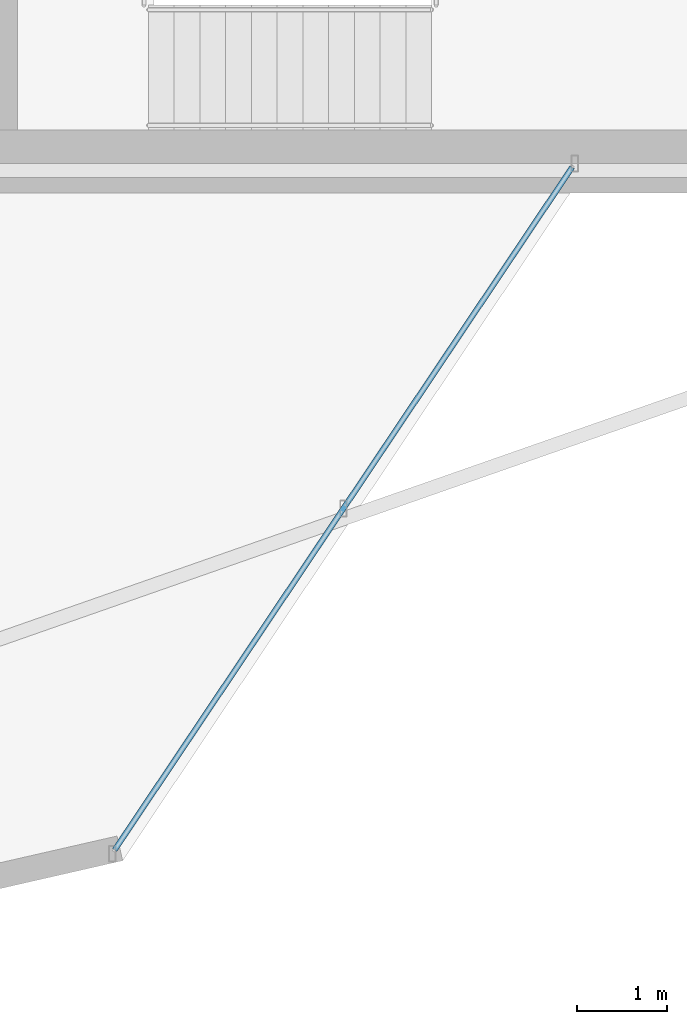
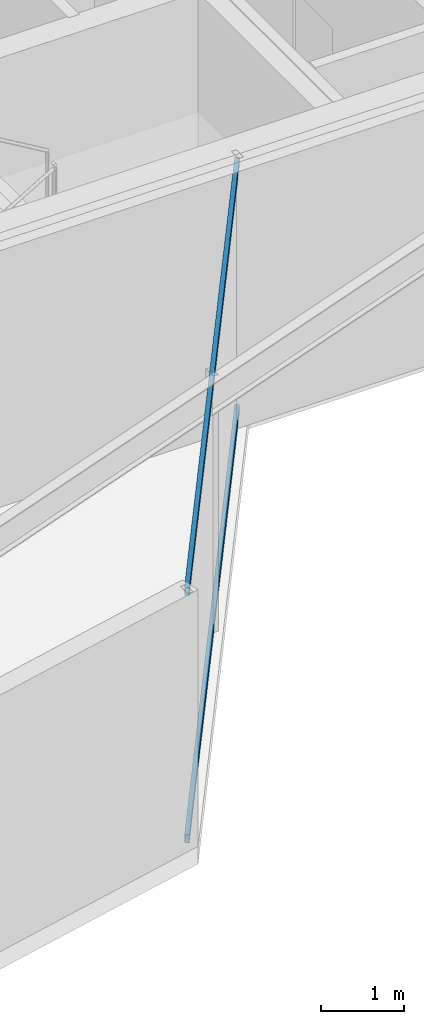
# One storey, part 7 of 22: 2 members, 1 element without a shape of its own.
"""IFC4 building model written with IfcOpenShell, lengths in metres."""

from ifc_helpers import new_model, si_unit, direction, frame, origin, origin_2d, place, context, subcontext, project, spatial, hollow_rectangle, extrude, material, layer, layer_set, material_profile, profile_set, type_object, element, aggregate, save


model = new_model("IFC4")

# Units and contexts
model_context = context("Model", 3, precision=1e-05, world=origin(), true_north=direction((0.0, 1.0)))
body_context = subcontext(model_context, "Body", "Model", "MODEL_VIEW")
ifc_project = project(units=[si_unit("LENGTHUNIT", "METRE"), si_unit("AREAUNIT", "SQUARE_METRE"), si_unit("VOLUMEUNIT", "CUBIC_METRE"), si_unit("PLANEANGLEUNIT", "RADIAN"), si_unit("MASSUNIT", "GRAM", prefix="KILO")], contexts=[model_context])

# Site, building, storey
site_placement = place(None, origin())
site = spatial("IfcSite", under=ifc_project, at=site_placement, CompositionType="ELEMENT")
building_placement = place(site_placement, origin())
building = spatial("IfcBuilding", under=site, at=building_placement, Name="Veymaron Broadcast Tower", CompositionType="ELEMENT")
storey_placement = place(building_placement, frame((0.0, 0.0, 208.050048828125)))
storey = spatial("IfcBuildingStorey", under=building, at=storey_placement, Name="L48", CompositionType="ELEMENT", Elevation=208.050048828125)

# Curtain wall, members
ifc_material_1 = material(Name="Anodised aluminium AA 6063-T6 and laminated low-E dark glass", Category="aluminium")
ifc_layer = layer(ifc_material_1, 0.179931640625)
ifc_layer_set = layer_set([ifc_layer], Name="Anodised aluminium AA 6063-T6 and laminated low-E dark glass")
curtain_wall_type = type_object("IfcCurtainWallType", Name="CW-SYS-05", PredefinedType="NOTDEFINED", material=ifc_layer_set)
curtain_wall_placement = place(storey_placement, origin())
curtain_wall = element("IfcCurtainWall", 1, at=curtain_wall_placement, inside=storey, type_object=curtain_wall_type, Name="L48 dark-glass curtain wall CW-L48-E20-1", PredefinedType="NOTDEFINED")
ifc_material_2 = material(Name="Anodised aluminium AA 6063-T6", Category="aluminium")
ifc_material_profile = material_profile(ifc_material_2, hollow_rectangle(XDim=0.06005859375, YDim=0.1201171875, WallThickness=0.00390625, at=origin_2d()), Name="AL120X60X4")
ifc_profile_set = profile_set([ifc_material_profile], Name="Anodised aluminium AA 6063-T6")
member_type = type_object("IfcMemberType", Name="CW-TRN-02", PredefinedType="USERDEFINED", material=ifc_profile_set)
member_1_placement = place(storey_placement, frame((41.055908203125, 8.4794921875, 0.070068359375), z_axis=(0.556680529668, 0.83072666256, 0.0), x_axis=(-0.83072666256, 0.556680529668, 0.0)))
member_1 = element("IfcMember", 2, at=member_1_placement, type_object=member_type, Name="CW-L48-E20-1 transom B", ObjectType="TRANSOM", PredefinedType="USERDEFINED", context=body_context, shape_type="SweptSolid", body=[
    extrude(hollow_rectangle(XDim=0.06005859375, YDim=0.1201171875, WallThickness=0.00390625, at=origin_2d()), origin(), (0.0, 0.0, 1.0), 9.0966796875),
])
member_2_placement = place(storey_placement, frame((41.055908203125, 8.4794921875, 3.719970703125), z_axis=(0.556680529668, 0.83072666256, 0.0), x_axis=(-0.83072666256, 0.556680529668, 0.0)))
member_2 = element("IfcMember", 3, at=member_2_placement, type_object=member_type, Name="CW-L48-E20-1 transom T", ObjectType="TRANSOM", PredefinedType="USERDEFINED", context=body_context, shape_type="SweptSolid", body=[
    extrude(hollow_rectangle(XDim=0.06005859375, YDim=0.1201171875, WallThickness=0.00390625, at=origin_2d()), origin(), (0.0, 0.0, 1.0), 9.0966796875),
])
aggregate(curtain_wall, [member_1, member_2])

save(model, "model.ifc")
